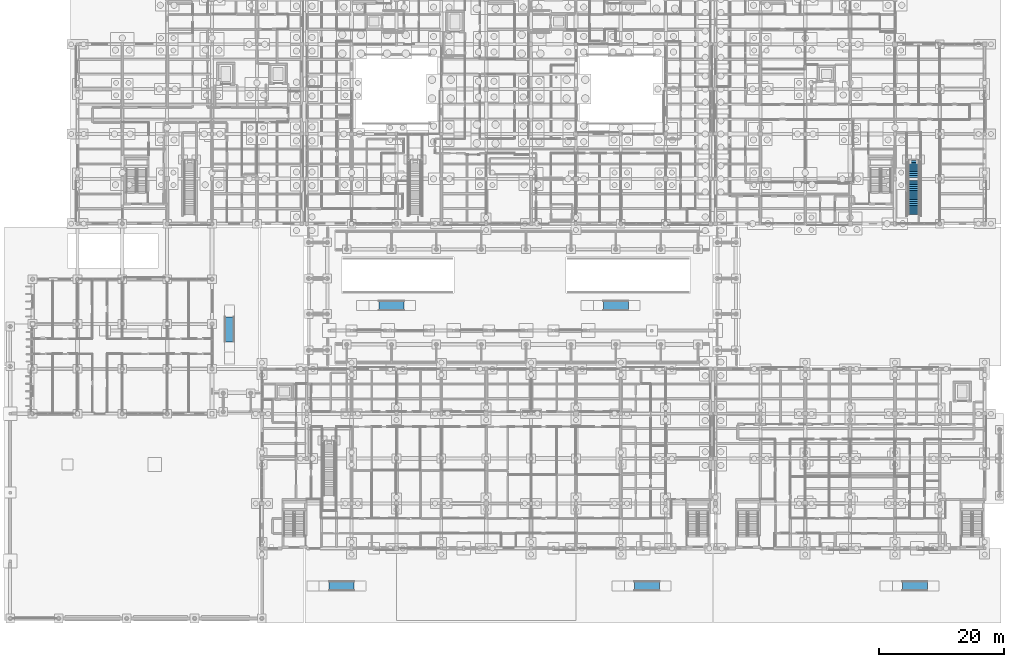
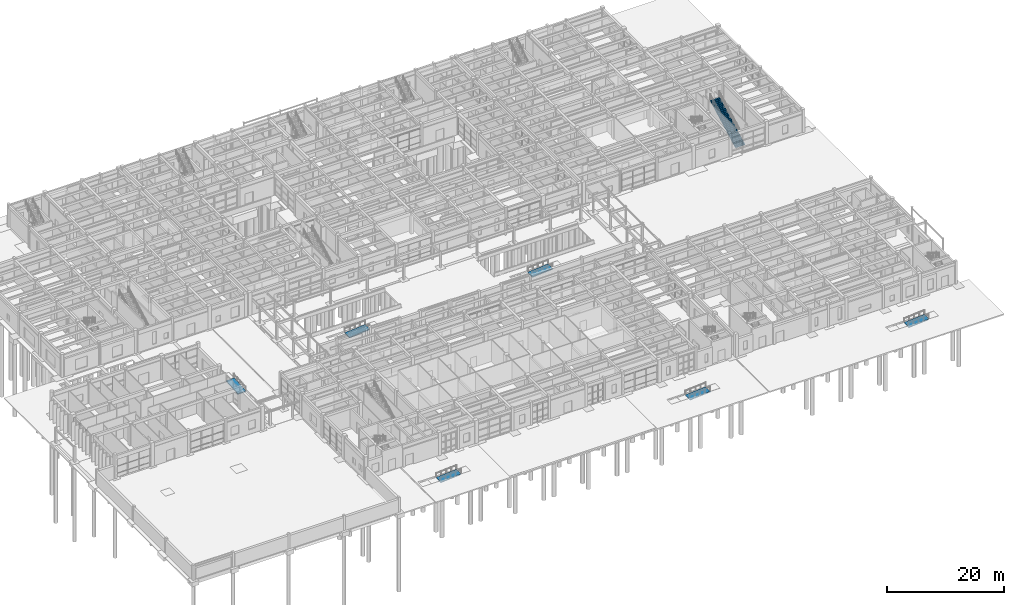
# One storey, part 124 of 143: 6 ramp flights, 1 stair flight, 7 elements without a shape of their own.
"""IFC4 building model written with IfcOpenShell, lengths in metres."""

from ifc_helpers import new_model, si_unit, direction, frame, origin, place, context, subcontext, project, spatial, polyline, outline, extrude, material, layer, layer_set, type_object, element, aggregate, save


model = new_model("IFC4")

# Units and contexts
model_context = context("Model", 3, precision=1e-05, world=origin(), true_north=direction((0.0, 1.0)))
body_context = subcontext(model_context, "Body", "Model", "MODEL_VIEW")
ifc_project = project(units=[si_unit("LENGTHUNIT", "METRE"), si_unit("AREAUNIT", "SQUARE_METRE"), si_unit("VOLUMEUNIT", "CUBIC_METRE"), si_unit("PLANEANGLEUNIT", "RADIAN"), si_unit("MASSUNIT", "GRAM", prefix="KILO")], contexts=[model_context])

# Site, building, storey
site_placement = place(None, origin())
site = spatial("IfcSite", under=ifc_project, at=site_placement, CompositionType="ELEMENT")
building_placement = place(site_placement, origin())
building = spatial("IfcBuilding", under=site, at=building_placement, Name="Steenspoor Specialist Clinic", CompositionType="ELEMENT")
storey_placement = place(building_placement, origin())
storey = spatial("IfcBuildingStorey", under=building, at=storey_placement, Name="L00", CompositionType="ELEMENT", Elevation=0.0)

# Stair, stair flight
ifc_material = material(Name="Concrete C35/45", Category="concrete")
stair_type = type_object("IfcStairType", Name="ST-FEAT-L00", PredefinedType="STRAIGHT_RUN_STAIR", material=ifc_material)
stair_placement = place(storey_placement, origin())
stair = element("IfcStair", 1, at=stair_placement, inside=storey, type_object=stair_type, Name="Feature Atrium Stair ST-F04", PredefinedType="STRAIGHT_RUN_STAIR")
stair_flight_type = type_object("IfcStairFlightType", Name="FL-FEAT-L00", PredefinedType="STRAIGHT", material=ifc_material)
stair_flight_placement = place(storey_placement, frame((149.800048828125, 66.60009765625, 0.0), z_axis=(0.0, 0.0, 1.0), x_axis=(0.0, 1.0, 0.0)))
stair_flight = element("IfcStairFlight", 2, at=stair_flight_placement, type_object=stair_flight_type, Name="ST-F04 flight 1", NumberOfRisers=30, NumberOfTreads=29, PredefinedType="STRAIGHT", RiserHeight=0.16, TreadLength=0.3, context=body_context, shape_type="SweptSolid", body=[
    extrude(outline(polyline([(0.0, 0.0), (0.0, 0.159912109375), (0.300048828125, 0.159912109375), (0.300048828125, 0.320068359375), (0.60009765625, 0.320068359375), (0.60009765625, 0.47998046875), (0.89990234375, 0.47998046875), (0.89990234375, 0.639892578125), (1.199951171875, 0.639892578125), (1.199951171875, 0.800048828125), (1.5, 0.800048828125), (1.5, 0.9599609375), (1.800048828125, 0.9599609375), (1.800048828125, 1.1201171875), (2.10009765625, 1.1201171875), (2.10009765625, 1.280029296875), (2.39990234375, 1.280029296875), (2.39990234375, 1.43994140625), (2.699951171875, 1.43994140625), (2.699951171875, 1.60009765625), (3.0, 1.60009765625), (3.0, 1.760009765625), (3.300048828125, 1.760009765625), (3.300048828125, 1.919921875), (3.60009765625, 1.919921875), (3.60009765625, 2.080078125), (3.89990234375, 2.080078125), (3.89990234375, 2.239990234375), (4.199951171875, 2.239990234375), (4.199951171875, 2.39990234375), (4.5, 2.39990234375), (4.5, 2.56005859375), (4.800048828125, 2.56005859375), (4.800048828125, 2.719970703125), (5.10009765625, 2.719970703125), (5.10009765625, 2.8798828125), (5.39990234375, 2.8798828125), (5.39990234375, 3.0400390625), (5.699951171875, 3.0400390625), (5.699951171875, 3.199951171875), (6.0, 3.199951171875), (6.0, 3.360107421875), (6.300048828125, 3.360107421875), (6.300048828125, 3.52001953125), (6.60009765625, 3.52001953125), (6.60009765625, 3.679931640625), (6.89990234375, 3.679931640625), (6.89990234375, 3.840087890625), (7.199951171875, 3.840087890625), (7.199951171875, 4.0), (7.5, 4.0), (7.5, 4.159912109375), (7.800048828125, 4.159912109375), (7.800048828125, 4.320068359375), (8.10009765625, 4.320068359375), (8.10009765625, 4.47998046875), (8.39990234375, 4.47998046875), (8.39990234375, 4.639892578125), (8.699951171875, 4.639892578125), (8.699951171875, 4.800048828125), (8.699951171875, 4.458740234375), (0.33984375, 0.0), (0.0, 0.0)])), frame((0.0, 0.925048828125, 0.0), z_axis=(0.0, -1.0, 0.0), x_axis=(1.0, 0.0, 0.0)), (0.0, 0.0, 1.0), 1.85009765625),
])
aggregate(stair, [stair_flight])

# Ramp, ramp flight
ramp_type = type_object("IfcRampType", Name="RAMP-CONADI-075", PredefinedType="STRAIGHT_RUN_RAMP", material=ifc_material)
ramp_1_placement = place(storey_placement, origin())
ramp_1 = element("IfcRamp", 3, at=ramp_1_placement, inside=storey, type_object=ramp_type, Name="Accessible Ramp RMP-01", PredefinedType="STRAIGHT_RUN_RAMP")
ifc_layer = layer(ifc_material, 0.199951171875)
ifc_layer_set = layer_set([ifc_layer], Name="Concrete C35/45")
ramp_flight_type = type_object("IfcRampFlightType", Name="RAMPFL-CONADI-075", PredefinedType="STRAIGHT", material=ifc_layer_set)
ramp_flight_1_placement = place(storey_placement, frame((56.0, 7.0, -0.300048828125), z_axis=(0.0, 0.0, 1.0), x_axis=(1.0, 0.0, 0.0)))
ramp_flight_1 = element("IfcRampFlight", 4, at=ramp_flight_1_placement, type_object=ramp_flight_type, Name="Accessible Ramp Flight RMP-01", PredefinedType="STRAIGHT", context=body_context, shape_type="SweptSolid", body=[
    extrude(outline(polyline([(0.0, 0.0), (4.0, 0.300048828125), (4.0, 0.10009765625), (0.0, -0.199951171875), (0.0, 0.0)])), frame((0.0, 0.800048828125, 0.0), z_axis=(0.0, -1.0, 0.0), x_axis=(1.0, 0.0, 0.0)), (0.0, 0.0, 1.0), 1.60009765625),
])
aggregate(ramp_1, [ramp_flight_1])

ramp_2_placement = place(storey_placement, origin())
ramp_2 = element("IfcRamp", 5, at=ramp_2_placement, inside=storey, type_object=ramp_type, Name="Accessible Ramp RMP-02", PredefinedType="STRAIGHT_RUN_RAMP")
ramp_flight_2_placement = place(storey_placement, frame((105.0, 7.0, -0.300048828125), z_axis=(0.0, 0.0, 1.0), x_axis=(1.0, 0.0, 0.0)))
ramp_flight_2 = element("IfcRampFlight", 6, at=ramp_flight_2_placement, type_object=ramp_flight_type, Name="Accessible Ramp Flight RMP-02", PredefinedType="STRAIGHT", context=body_context, shape_type="SweptSolid", body=[
    extrude(outline(polyline([(0.0, 0.0), (4.0, 0.300048828125), (4.0, 0.10009765625), (0.0, -0.199951171875), (0.0, 0.0)])), frame((0.0, 0.800048828125, 0.0), z_axis=(0.0, -1.0, 0.0), x_axis=(1.0, 0.0, 0.0)), (0.0, 0.0, 1.0), 1.60009765625),
])
aggregate(ramp_2, [ramp_flight_2])

ramp_3_placement = place(storey_placement, origin())
ramp_3 = element("IfcRamp", 7, at=ramp_3_placement, inside=storey, type_object=ramp_type, Name="Accessible Ramp RMP-03", PredefinedType="STRAIGHT_RUN_RAMP")
ramp_flight_3_placement = place(storey_placement, frame((148.0, 7.0, -0.300048828125), z_axis=(0.0, 0.0, 1.0), x_axis=(1.0, 0.0, 0.0)))
ramp_flight_3 = element("IfcRampFlight", 8, at=ramp_flight_3_placement, type_object=ramp_flight_type, Name="Accessible Ramp Flight RMP-03", PredefinedType="STRAIGHT", context=body_context, shape_type="SweptSolid", body=[
    extrude(outline(polyline([(0.0, 0.0), (4.0, 0.300048828125), (4.0, 0.10009765625), (0.0, -0.199951171875), (0.0, 0.0)])), frame((0.0, 0.800048828125, 0.0), z_axis=(0.0, -1.0, 0.0), x_axis=(1.0, 0.0, 0.0)), (0.0, 0.0, 1.0), 1.60009765625),
])
aggregate(ramp_3, [ramp_flight_3])

ramp_4_placement = place(storey_placement, origin())
ramp_4 = element("IfcRamp", 9, at=ramp_4_placement, inside=storey, type_object=ramp_type, Name="Accessible Ramp RMP-04", PredefinedType="STRAIGHT_RUN_RAMP")
ramp_flight_4_placement = place(storey_placement, frame((40.0, 46.199951171875, -0.300048828125), z_axis=(0.0, 0.0, 1.0), x_axis=(0.0, 1.0, 0.0)))
ramp_flight_4 = element("IfcRampFlight", 10, at=ramp_flight_4_placement, type_object=ramp_flight_type, Name="Accessible Ramp Flight RMP-04", PredefinedType="STRAIGHT", context=body_context, shape_type="SweptSolid", body=[
    extrude(outline(polyline([(0.0, 0.0), (4.0, 0.300048828125), (4.0, 0.10009765625), (0.0, -0.199951171875), (0.0, 0.0)])), frame((0.0, 0.800048828125, 0.0), z_axis=(0.0, -1.0, 0.0), x_axis=(1.0, 0.0, 0.0)), (0.0, 0.0, 1.0), 1.60009765625),
])
aggregate(ramp_4, [ramp_flight_4])

ramp_5_placement = place(storey_placement, origin())
ramp_5 = element("IfcRamp", 11, at=ramp_5_placement, inside=storey, type_object=ramp_type, Name="Accessible Ramp RMP-05", PredefinedType="STRAIGHT_RUN_RAMP")
ramp_flight_5_placement = place(storey_placement, frame((64.0, 52.0, -0.300048828125), z_axis=(0.0, 0.0, 1.0), x_axis=(1.0, 0.0, 0.0)))
ramp_flight_5 = element("IfcRampFlight", 12, at=ramp_flight_5_placement, type_object=ramp_flight_type, Name="Accessible Ramp Flight RMP-05", PredefinedType="STRAIGHT", context=body_context, shape_type="SweptSolid", body=[
    extrude(outline(polyline([(0.0, 0.0), (4.0, 0.300048828125), (4.0, 0.10009765625), (0.0, -0.199951171875), (0.0, 0.0)])), frame((0.0, 0.800048828125, 0.0), z_axis=(0.0, -1.0, 0.0), x_axis=(1.0, 0.0, 0.0)), (0.0, 0.0, 1.0), 1.60009765625),
])
aggregate(ramp_5, [ramp_flight_5])

ramp_6_placement = place(storey_placement, origin())
ramp_6 = element("IfcRamp", 13, at=ramp_6_placement, inside=storey, type_object=ramp_type, Name="Accessible Ramp RMP-06", PredefinedType="STRAIGHT_RUN_RAMP")
ramp_flight_6_placement = place(storey_placement, frame((100.0, 52.0, -0.300048828125), z_axis=(0.0, 0.0, 1.0), x_axis=(1.0, 0.0, 0.0)))
ramp_flight_6 = element("IfcRampFlight", 14, at=ramp_flight_6_placement, type_object=ramp_flight_type, Name="Accessible Ramp Flight RMP-06", PredefinedType="STRAIGHT", context=body_context, shape_type="SweptSolid", body=[
    extrude(outline(polyline([(0.0, 0.0), (4.0, 0.300048828125), (4.0, 0.10009765625), (0.0, -0.199951171875), (0.0, 0.0)])), frame((0.0, 0.800048828125, 0.0), z_axis=(0.0, -1.0, 0.0), x_axis=(1.0, 0.0, 0.0)), (0.0, 0.0, 1.0), 1.60009765625),
])
aggregate(ramp_6, [ramp_flight_6])

save(model, "model.ifc")
